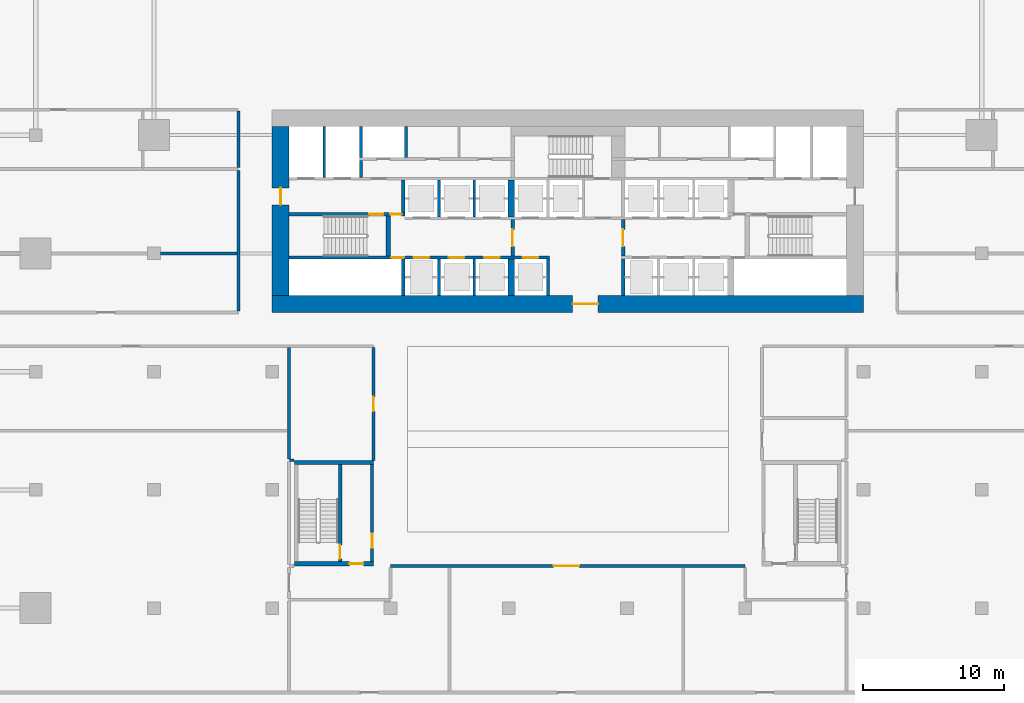
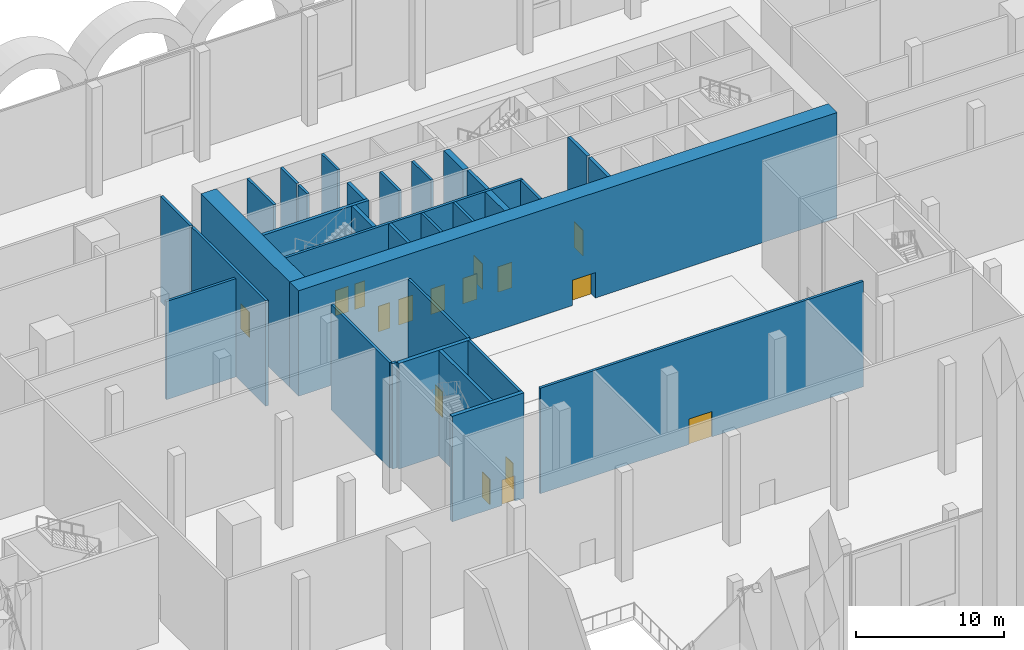
# One storey, part 22 of 43: 32 walls, 16 doors, 16 openings.
"""IFC4 building model written with IfcOpenShell, lengths in metres."""

import ifcopenshell
import ifcopenshell.guid

model = None  # the IFC model being written
_history = None  # IfcOwnerHistory: only IFC2X3 demands one
_inside = {}  # id of a spatial element -> (the spatial element, [elements in it])
_under = {}  # id of a project, library or spatial element -> (it, [spatial elements below it])
_declared = {}  # id of a project -> (the project, [libraries it declares])
_typed = {}  # id of a type object -> (the type object, [elements of that type])
_made_of = {}  # id of a material, layer set ... -> (it, [elements and type objects made of it])


def new_model(schema):
    """Start an empty IFC model of exactly this schema.

    Asked for "IFC4X3", IfcOpenShell would pick the latest addendum, in which some entities
    have other attributes; the version numbers below select the first issue.
    IFC2X3 requires an IfcOwnerHistory on every rooted entity: one is made here for all.
    """
    global model, _history
    if schema == "IFC4X3":
        model = ifcopenshell.file(schema_version=(4, 3, 0, 0))
    else:
        model = ifcopenshell.file(schema=schema)
    _inside.clear()
    _under.clear()
    _declared.clear()
    _typed.clear()
    _made_of.clear()
    _history = None
    if model.schema == "IFC2X3":
        org = make("IfcOrganization", Name="unknown")
        user = make(
            "IfcPersonAndOrganization",
            ThePerson=make("IfcPerson", FamilyName="unknown"),
            TheOrganization=org,
        )
        app = make(
            "IfcApplication",
            ApplicationDeveloper=org,
            Version="unknown",
            ApplicationFullName="unknown",
            ApplicationIdentifier="unknown",
        )
        _history = make(
            "IfcOwnerHistory",
            OwningUser=user,
            OwningApplication=app,
            ChangeAction="ADDED",
            CreationDate=0,
        )
    return model


def make(cls, **values):
    """One entity of the class cls with the attributes given. An attribute that is None is left unset."""
    return model.create_entity(
        cls, **{name: value for name, value in values.items() if value is not None}
    )


def rooted(cls, **values):
    """An entity with a GlobalId (a new one), such as an element, a storey or a relation."""
    return make(cls, GlobalId=ifcopenshell.guid.new(), OwnerHistory=_history, **values)


def si_unit(unit_type, name, prefix=None):
    """IfcSIUnit, for example si_unit("LENGTHUNIT", "METRE", prefix="MILLI")."""
    return make("IfcSIUnit", UnitType=unit_type, Prefix=prefix, Name=name)


def assignment(units):
    """IfcUnitAssignment: the units of a project."""
    return None if units is None else make("IfcUnitAssignment", Units=units)


def point(xyz):
    """IfcCartesianPoint."""
    return None if xyz is None else make("IfcCartesianPoint", Coordinates=xyz)


def direction(xyz):
    """IfcDirection."""
    return None if xyz is None else make("IfcDirection", DirectionRatios=xyz)


def frame(location, z_axis=None, x_axis=None):
    """IfcAxis2Placement3D, a coordinate frame: its origin and axes. An axis left out is left unset."""
    return make(
        "IfcAxis2Placement3D",
        Location=point(location),
        Axis=direction(z_axis),
        RefDirection=direction(x_axis),
    )


def frame_2d(location, x_axis=None):
    """IfcAxis2Placement2D, a coordinate frame in the plane: its origin and x axis."""
    return make(
        "IfcAxis2Placement2D", Location=point(location), RefDirection=direction(x_axis)
    )


def origin():
    """The frame at (0, 0, 0) with its axes left unset."""
    return frame((0.0, 0.0, 0.0))


def place(relative_to, where):
    """IfcLocalPlacement: puts the frame where relative to a parent placement (None: the world)."""
    return make(
        "IfcLocalPlacement", PlacementRelTo=relative_to, RelativePlacement=where
    )


def context(
    kind, dimensions, precision=None, world=None, true_north=None, identifier=None
):
    """IfcGeometricRepresentationContext, for example the 3D "Model" context."""
    return make(
        "IfcGeometricRepresentationContext",
        ContextIdentifier=identifier,
        ContextType=kind,
        CoordinateSpaceDimension=dimensions,
        Precision=precision,
        WorldCoordinateSystem=world,
        TrueNorth=true_north,
    )


def subcontext(parent, identifier, kind, view, scale=None):
    """IfcGeometricRepresentationSubContext, for example "Body" below "Model"."""
    return make(
        "IfcGeometricRepresentationSubContext",
        ContextIdentifier=identifier,
        ContextType=kind,
        ParentContext=parent,
        TargetScale=scale,
        TargetView=view,
    )


def project(units=None, contexts=None):
    """IfcProject with its units and contexts."""
    return rooted(
        "IfcProject",
        Name="project",
        RepresentationContexts=contexts,
        UnitsInContext=assignment(units),
    )


def spatial(cls, under=None, at=None, **own):
    """A site, building, storey or space (cls), placed at a placement, below another one or the project."""
    s = rooted(cls, ObjectPlacement=at, **own)
    if under is not None:
        _under.setdefault(under.id(), (under, []))[1].append(s)
    return s


def profile(cls, at=None, kind="AREA", **sizes):
    """A parametric profile (cls). Its sizes go by their IFC names, for example OverallWidth=200.0."""
    return make(cls, ProfileType=kind, Position=at, **sizes)


def rectangle(**sizes):
    """IfcRectangleProfileDef."""
    return profile("IfcRectangleProfileDef", **sizes)


def extrude(swept, where, along, depth):
    """IfcExtrudedAreaSolid: the profile swept, set in the frame where, extruded along a direction by depth."""
    return make(
        "IfcExtrudedAreaSolid",
        SweptArea=swept,
        Position=where,
        ExtrudedDirection=direction(along),
        Depth=depth,
    )


def shape(context_of_items, identifier, shape_type, items):
    """IfcShapeRepresentation: the items that make up one representation, for example the "Body"."""
    return make(
        "IfcShapeRepresentation",
        ContextOfItems=context_of_items,
        RepresentationIdentifier=identifier,
        RepresentationType=shape_type,
        Items=items,
    )


def material(Name=None, Category=None):
    """IfcMaterial."""
    return make("IfcMaterial", Name=Name, Category=Category)


def layer(
    of_material, thickness, ventilated=None, Name=None, Category=None, Priority=None
):
    """IfcMaterialLayer: one layer of a wall or slab, of a material (None: an air gap)."""
    return make(
        "IfcMaterialLayer",
        Material=of_material,
        LayerThickness=thickness,
        IsVentilated=ventilated,
        Name=Name,
        Category=Category,
        Priority=Priority,
    )


def layer_set(layers, Name=None):
    """IfcMaterialLayerSet."""
    return make("IfcMaterialLayerSet", MaterialLayers=layers, LayerSetName=Name)


def made_of(thing, what):
    """Note that an element or type object is made of a material, layer set ...; save() writes the relation."""
    if what is not None:
        _made_of.setdefault(what.id(), (what, []))[1].append(thing)
    return thing


def type_object(cls, material=None, **own):
    """A type object (cls), such as IfcWallType, which elements share."""
    return made_of(rooted(cls, **own), material)


def element(
    cls,
    number,
    at=None,
    inside=None,
    cuts=None,
    type_object=None,
    material=None,
    context=None,
    identifier="Body",
    shape_type=None,
    held_by="IfcProductDefinitionShape",
    body=None,
    shapes=None,
    **own,
):
    """One element of the class cls, such as IfcWall. Its Tag is "e" and its number.

    at: its placement. inside: the storey or other place that contains it. cuts: it is an
    opening in that element (IfcRelVoidsElement). A single representation is given by context,
    identifier, shape_type and body (its items); several are given by shapes. held_by: the class
    of the entity that holds the representations. save() writes the other relations.
    """
    e = rooted(cls, Tag="e%d" % number, ObjectPlacement=at, **own)
    if body is not None:
        shapes = [shape(context, identifier, shape_type, body)]
    if shapes is not None:
        e.Representation = make(held_by, Representations=shapes)
    if inside is not None:
        _inside.setdefault(inside.id(), (inside, []))[1].append(e)
    if cuts is not None:
        rooted(
            "IfcRelVoidsElement", RelatingBuildingElement=cuts, RelatedOpeningElement=e
        )
    if type_object is not None:
        _typed.setdefault(type_object.id(), (type_object, []))[1].append(e)
    return made_of(e, material)


def fill(opening, filler):
    """IfcRelFillsElement: the door or window that sits in an opening."""
    return rooted(
        "IfcRelFillsElement",
        RelatingOpeningElement=opening,
        RelatedBuildingElement=filler,
    )


def aggregate(whole, parts):
    """IfcRelAggregates: a whole, such as a stair, and the parts it consists of."""
    return rooted("IfcRelAggregates", RelatingObject=whole, RelatedObjects=parts)


def save(model, path):
    """Write the relations noted so far, then the file.

    IfcRelAggregates (storeys below a building ...), IfcRelContainedInSpatialStructure (elements
    in a storey), IfcRelDefinesByType, IfcRelAssociatesMaterial and IfcRelDeclares: one each for
    every whole, place, type object, material and project.
    """
    for whole, parts in _under.values():
        aggregate(whole, parts)
    for where, things in _inside.values():
        rooted(
            "IfcRelContainedInSpatialStructure",
            RelatedElements=things,
            RelatingStructure=where,
        )
    for kind, things in _typed.values():
        rooted("IfcRelDefinesByType", RelatedObjects=things, RelatingType=kind)
    for what, things in _made_of.values():
        rooted("IfcRelAssociatesMaterial", RelatedObjects=things, RelatingMaterial=what)
    for by, libraries in _declared.values():
        rooted("IfcRelDeclares", RelatingContext=by, RelatedDefinitions=libraries)
    model.write(path)


model = new_model("IFC4")

# Units and contexts
model_context = context("Model", 3, precision=1e-05, world=origin(), true_north=direction((0.0, 1.0)))
body_context = subcontext(model_context, "Body", "Model", "MODEL_VIEW")
ifc_project = project(units=[si_unit("LENGTHUNIT", "METRE"), si_unit("AREAUNIT", "SQUARE_METRE"), si_unit("VOLUMEUNIT", "CUBIC_METRE"), si_unit("PLANEANGLEUNIT", "RADIAN"), si_unit("MASSUNIT", "GRAM", prefix="KILO")], contexts=[model_context])

# Site, building, storey
site_placement = place(None, origin())
site = spatial("IfcSite", under=ifc_project, at=site_placement, CompositionType="ELEMENT")
building_placement = place(site_placement, origin())
building = spatial("IfcBuilding", under=site, at=building_placement, Name="Saffron Gate Tower", CompositionType="ELEMENT")
storey_placement = place(building_placement, origin())
storey = spatial("IfcBuildingStorey", under=building, at=storey_placement, Name="L00", CompositionType="ELEMENT", Elevation=0.0)

# Wall, opening, door
ifc_material_1 = material(Name="Concrete C70", Category="concrete")
ifc_layer_1 = layer(ifc_material_1, 1.199951171875)
ifc_layer_set_1 = layer_set([ifc_layer_1], Name="CW1 RC core wall 1200 C70")
wall_type_1 = type_object("IfcWallType", Name="CW1 RC core wall 1200 C70", PredefinedType="SOLIDWALL", material=ifc_layer_set_1)
wall_1_placement = place(storey_placement, frame((66.60009765625, 61.800048828125, 0.0), z_axis=(0.0, 0.0, 1.0), x_axis=(1.0, 0.0, 0.0)))
wall_1 = element("IfcWall", 1, at=wall_1_placement, inside=storey, type_object=wall_type_1, Name="Wall CW1-L00-1", PredefinedType="SOLIDWALL", context=body_context, shape_type="SweptSolid", body=[
    extrude(rectangle(XDim=42.0, YDim=1.199951171875, at=frame_2d((21.0, 0.0))), origin(), (0.0, 0.0, 1.0), 8.699951171875),
])
opening_1_placement = place(wall_1_placement, frame((21.35009765625, 0.0, 0.0)))
opening_1 = element("IfcOpeningElement", 2, at=opening_1_placement, cuts=wall_1, Name="Opening CR-09", PredefinedType="OPENING", context=body_context, shape_type="SweptSolid", body=[
    extrude(rectangle(XDim=1.800048828125, YDim=2.10009765625, at=frame_2d((0.89990234375, 1.050048828125))), frame((0.0, 0.60986328125, 0.0), z_axis=(0.0, -1.0, 0.0), x_axis=(1.0, 0.0, 0.0)), (0.0, 0.0, 1.0), 1.219970703125),
])
ifc_material_2 = material(Name="Steel fire door set", Category="steel")
door_type_1 = type_object("IfcDoorType", Name="CD1 Core entrance door 1800x2100 EI 120", OperationType="NOTDEFINED", PredefinedType="DOOR", material=ifc_material_2)
door_1_placement = place(opening_1_placement, origin())
door_1 = element("IfcDoor", 3, at=door_1_placement, inside=storey, type_object=door_type_1, Name="DOOR CR-09", OperationType="DOUBLE_DOOR_SINGLE_SWING", OverallHeight=2.10009765625, OverallWidth=1.800048828125, PredefinedType="DOOR", context=body_context, shape_type="SweptSolid", body=[
    extrude(rectangle(XDim=1.800048828125, YDim=2.10009765625, at=frame_2d((0.89990234375, 1.050048828125))), frame((0.0, 0.02490234375, 0.0), z_axis=(0.0, -1.0, 0.0), x_axis=(1.0, 0.0, 0.0)), (0.0, 0.0, 1.0), 0.050048828125),
])
fill(opening_1, door_1)

wall_2_placement = place(storey_placement, frame((67.199951171875, 62.39990234375, 0.0), z_axis=(0.0, 0.0, 1.0), x_axis=(0.0, 1.0, 0.0)))
wall_2 = element("IfcWall", 4, at=wall_2_placement, inside=storey, type_object=wall_type_1, Name="Wall CW1-L00-3", PredefinedType="SOLIDWALL", context=body_context, shape_type="SweptSolid", body=[
    extrude(rectangle(XDim=12.0, YDim=1.199951171875, at=frame_2d((6.0, 0.0))), origin(), (0.0, 0.0, 1.0), 8.699951171875),
])
opening_2_placement = place(wall_2_placement, frame((6.449951171875, 0.0, 0.0)))
opening_2 = element("IfcOpeningElement", 5, at=opening_2_placement, cuts=wall_2, Name="Opening CR-10", PredefinedType="OPENING", context=body_context, shape_type="SweptSolid", body=[
    extrude(rectangle(XDim=1.199951171875, YDim=2.10009765625, at=frame_2d((0.60009765625, 1.050048828125))), frame((0.0, 0.60986328125, 0.0), z_axis=(0.0, -1.0, 0.0), x_axis=(1.0, 0.0, 0.0)), (0.0, 0.0, 1.0), 1.219970703125),
])
door_type_2 = type_object("IfcDoorType", Name="CD7 Core entrance door 1200x2100 EI 120", OperationType="NOTDEFINED", PredefinedType="DOOR", material=ifc_material_2)
door_2_placement = place(opening_2_placement, origin())
door_2 = element("IfcDoor", 6, at=door_2_placement, inside=storey, type_object=door_type_2, Name="DOOR CR-10", OperationType="SINGLE_SWING_LEFT", OverallHeight=2.10009765625, OverallWidth=1.199951171875, PredefinedType="DOOR", context=body_context, shape_type="SweptSolid", body=[
    extrude(rectangle(XDim=1.199951171875, YDim=2.10009765625, at=frame_2d((0.60009765625, 1.050048828125))), frame((0.0, 0.02490234375, 0.0), z_axis=(0.0, -1.0, 0.0), x_axis=(1.0, 0.0, 0.0)), (0.0, 0.0, 1.0), 0.050048828125),
])
fill(opening_2, door_2)

ifc_material_3 = material(Name="Gypsum board partition on steel studs", Category="steel")
ifc_layer_2 = layer(ifc_material_3, 0.199951171875)
ifc_layer_set_2 = layer_set([ifc_layer_2], Name="CW10 Core partition 200")
wall_type_2 = type_object("IfcWallType", Name="CW10 Core partition 200", PredefinedType="PARTITIONING", material=ifc_layer_set_2)
wall_3_placement = place(storey_placement, frame((73.699951171875, 43.5, 0.0), z_axis=(0.0, 0.0, 1.0), x_axis=(0.0, 1.0, 0.0)))
wall_3 = element("IfcWall", 7, at=wall_3_placement, inside=storey, type_object=wall_type_2, Name="Wall CW10-L00-D-4", PredefinedType="PARTITIONING", context=body_context, shape_type="SweptSolid", body=[
    extrude(rectangle(XDim=6.89990234375, YDim=0.199951171875, at=frame_2d((3.449951171875, 0.0))), origin(), (0.0, 0.0, 1.0), 8.699951171875),
])
opening_3_placement = place(wall_3_placement, frame((1.0, 0.0, 0.0)))
opening_3 = element("IfcOpeningElement", 8, at=opening_3_placement, cuts=wall_3, Name="Opening CR-19", PredefinedType="OPENING", context=body_context, shape_type="SweptSolid", body=[
    extrude(rectangle(XDim=1.0, YDim=2.10009765625, at=frame_2d((0.5, 1.050048828125))), frame((0.0, 0.10986328125, 0.0), z_axis=(0.0, -1.0, 0.0), x_axis=(1.0, 0.0, 0.0)), (0.0, 0.0, 1.0), 0.219970703125),
])
door_type_3 = type_object("IfcDoorType", Name="CD4 Lobby door 1000x2100 EI 120", OperationType="NOTDEFINED", PredefinedType="DOOR", material=ifc_material_2)
door_3_placement = place(opening_3_placement, origin())
door_3 = element("IfcDoor", 9, at=door_3_placement, inside=storey, type_object=door_type_3, Name="DOOR CR-19", OperationType="SINGLE_SWING_RIGHT", OverallHeight=2.10009765625, OverallWidth=1.0, PredefinedType="DOOR", context=body_context, shape_type="SweptSolid", body=[
    extrude(rectangle(XDim=1.0, YDim=2.10009765625, at=frame_2d((0.5, 1.050048828125))), frame((0.0, 0.02490234375, 0.0), z_axis=(0.0, -1.0, 0.0), x_axis=(1.0, 0.0, 0.0)), (0.0, 0.0, 1.0), 0.050048828125),
])
fill(opening_3, door_3)

# Walls
ifc_layer_3 = layer(ifc_material_1, 0.25)
ifc_layer_set_3 = layer_set([ifc_layer_3], Name="CW2 RC core wall 250 C70")
wall_type_3 = type_object("IfcWallType", Name="CW2 RC core wall 250 C70", PredefinedType="SOLIDWALL", material=ifc_layer_set_3)
for number, where, z_axis, x_axis, name in (
    (10, (75.925048828125, 62.39990234375, 0.0), (0.0, 0.0, 1.0), (0.0, 1.0, 0.0), "Wall CW2-L00-5"),
    (11, (91.52490234375, 62.39990234375, 0.0), (0.0, 0.0, 1.0), (0.0, 1.0, 0.0), "Wall CW2-L00-10"),
):
    element("IfcWall", number, at=place(storey_placement, frame(where, z_axis=z_axis, x_axis=x_axis)), inside=storey, type_object=wall_type_3, Name=name, PredefinedType="SOLIDWALL", context=body_context, shape_type="SweptSolid", body=[
        extrude(rectangle(XDim=2.60009765625, YDim=0.25, at=frame_2d((1.300048828125, 0.0))), origin(), (0.0, 0.0, 1.0), 8.699951171875),
    ])

# Wall, opening, door
wall_4_placement = place(storey_placement, frame((83.675048828125, 65.199951171875, 0.0), z_axis=(0.0, 0.0, 1.0), x_axis=(0.0, 1.0, 0.0)))
wall_4 = element("IfcWall", 12, at=wall_4_placement, inside=storey, type_object=wall_type_3, Name="Wall CW2-L00-17", PredefinedType="SOLIDWALL", context=body_context, shape_type="SweptSolid", body=[
    extrude(rectangle(XDim=2.60009765625, YDim=0.25, at=frame_2d((1.300048828125, 0.0))), origin(), (0.0, 0.0, 1.0), 8.699951171875),
])
opening_4_placement = place(wall_4_placement, frame((0.699951171875, 0.0, 0.0)))
opening_4 = element("IfcOpeningElement", 13, at=opening_4_placement, cuts=wall_4, Name="Opening CR-07", PredefinedType="OPENING", context=body_context, shape_type="SweptSolid", body=[
    extrude(rectangle(XDim=1.199951171875, YDim=2.10009765625, at=frame_2d((0.60009765625, 1.050048828125))), frame((0.0, 0.135009765625, 0.0), z_axis=(0.0, -1.0, 0.0), x_axis=(1.0, 0.0, 0.0)), (0.0, 0.0, 1.0), 0.27001953125),
])
door_type_4 = type_object("IfcDoorType", Name="CD3 Lobby door 1200x2100 EI 120", OperationType="NOTDEFINED", PredefinedType="DOOR", material=ifc_material_2)
door_4_placement = place(opening_4_placement, origin())
door_4 = element("IfcDoor", 14, at=door_4_placement, inside=storey, type_object=door_type_4, Name="DOOR CR-07", OperationType="SINGLE_SWING_RIGHT", OverallHeight=2.10009765625, OverallWidth=1.199951171875, PredefinedType="DOOR", context=body_context, shape_type="SweptSolid", body=[
    extrude(rectangle(XDim=1.199951171875, YDim=2.10009765625, at=frame_2d((0.60009765625, 1.050048828125))), frame((0.0, 0.02490234375, 0.0), z_axis=(0.0, -1.0, 0.0), x_axis=(1.0, 0.0, 0.0)), (0.0, 0.0, 1.0), 0.050048828125),
])
fill(opening_4, door_4)

wall_5_placement = place(storey_placement, frame((91.52490234375, 65.199951171875, 0.0), z_axis=(0.0, 0.0, 1.0), x_axis=(0.0, 1.0, 0.0)))
wall_5 = element("IfcWall", 15, at=wall_5_placement, inside=storey, type_object=wall_type_3, Name="Wall CW2-L00-18", PredefinedType="SOLIDWALL", context=body_context, shape_type="SweptSolid", body=[
    extrude(rectangle(XDim=2.60009765625, YDim=0.25, at=frame_2d((1.300048828125, 0.0))), origin(), (0.0, 0.0, 1.0), 8.699951171875),
])
opening_5_placement = place(wall_5_placement, frame((0.699951171875, 0.0, 0.0)))
opening_5 = element("IfcOpeningElement", 16, at=opening_5_placement, cuts=wall_5, Name="Opening CR-01", PredefinedType="OPENING", context=body_context, shape_type="SweptSolid", body=[
    extrude(rectangle(XDim=1.199951171875, YDim=2.10009765625, at=frame_2d((0.60009765625, 1.050048828125))), frame((0.0, 0.135009765625, 0.0), z_axis=(0.0, -1.0, 0.0), x_axis=(1.0, 0.0, 0.0)), (0.0, 0.0, 1.0), 0.27001953125),
])
door_5_placement = place(opening_5_placement, origin())
door_5 = element("IfcDoor", 17, at=door_5_placement, inside=storey, type_object=door_type_4, Name="DOOR CR-01", OperationType="SINGLE_SWING_RIGHT", OverallHeight=2.10009765625, OverallWidth=1.199951171875, PredefinedType="DOOR", context=body_context, shape_type="SweptSolid", body=[
    extrude(rectangle(XDim=1.199951171875, YDim=2.10009765625, at=frame_2d((0.60009765625, 1.050048828125))), frame((0.0, 0.02490234375, 0.0), z_axis=(0.0, -1.0, 0.0), x_axis=(1.0, 0.0, 0.0)), (0.0, 0.0, 1.0), 0.050048828125),
])
fill(opening_5, door_5)

# Wall, openings, doors
wall_6_placement = place(storey_placement, frame((67.800048828125, 68.175048828125, 0.0), z_axis=(0.0, 0.0, 1.0), x_axis=(1.0, 0.0, 0.0)))
wall_6 = element("IfcWall", 18, at=wall_6_placement, inside=storey, type_object=wall_type_3, Name="Wall CW2-L00-30", PredefinedType="SOLIDWALL", context=body_context, shape_type="SweptSolid", body=[
    extrude(rectangle(XDim=8.25, YDim=0.25, at=frame_2d((4.125, 0.0))), origin(), (0.0, 0.0, 1.0), 8.699951171875),
])
opening_6_placement = place(wall_6_placement, frame((5.699951171875, 0.0, 0.0)))
opening_6 = element("IfcOpeningElement", 19, at=opening_6_placement, cuts=wall_6, Name="Opening CR-15", PredefinedType="OPENING", context=body_context, shape_type="SweptSolid", body=[
    extrude(rectangle(XDim=1.0, YDim=2.10009765625, at=frame_2d((0.5, 1.050048828125))), frame((0.0, 0.135009765625, 0.0), z_axis=(0.0, -1.0, 0.0), x_axis=(1.0, 0.0, 0.0)), (0.0, 0.0, 1.0), 0.27001953125),
])
opening_7_placement = place(wall_6_placement, frame((7.199951171875, 0.0, 0.0)))
opening_7 = element("IfcOpeningElement", 20, at=opening_7_placement, cuts=wall_6, Name="Opening CR-06", PredefinedType="OPENING", context=body_context, shape_type="SweptSolid", body=[
    extrude(rectangle(XDim=0.800048828125, YDim=2.10009765625, at=frame_2d((0.39990234375, 1.050048828125))), frame((0.0, 0.135009765625, 0.0), z_axis=(0.0, -1.0, 0.0), x_axis=(1.0, 0.0, 0.0)), (0.0, 0.0, 1.0), 0.27001953125),
])
door_type_5 = type_object("IfcDoorType", Name="CD5 Stair door 1000x2100 EI 120", OperationType="NOTDEFINED", PredefinedType="DOOR", material=ifc_material_2)
door_6_placement = place(opening_6_placement, origin())
door_6 = element("IfcDoor", 21, at=door_6_placement, inside=storey, type_object=door_type_5, Name="DOOR CR-15", OperationType="SINGLE_SWING_RIGHT", OverallHeight=2.10009765625, OverallWidth=1.0, PredefinedType="DOOR", context=body_context, shape_type="SweptSolid", body=[
    extrude(rectangle(XDim=1.0, YDim=2.10009765625, at=frame_2d((0.5, 1.050048828125))), frame((0.0, 0.02490234375, 0.0), z_axis=(0.0, -1.0, 0.0), x_axis=(1.0, 0.0, 0.0)), (0.0, 0.0, 1.0), 0.050048828125),
])
fill(opening_6, door_6)
door_type_6 = type_object("IfcDoorType", Name="CD6 Lobby door 800x2100 EI 120", OperationType="NOTDEFINED", PredefinedType="DOOR", material=ifc_material_2)
door_7_placement = place(opening_7_placement, origin())
door_7 = element("IfcDoor", 22, at=door_7_placement, inside=storey, type_object=door_type_6, Name="DOOR CR-06", OperationType="SINGLE_SWING_LEFT", OverallHeight=2.10009765625, OverallWidth=0.800048828125, PredefinedType="DOOR", context=body_context, shape_type="SweptSolid", body=[
    extrude(rectangle(XDim=0.800048828125, YDim=2.10009765625, at=frame_2d((0.39990234375, 1.050048828125))), frame((0.0, 0.02490234375, 0.0), z_axis=(0.0, -1.0, 0.0), x_axis=(1.0, 0.0, 0.0)), (0.0, 0.0, 1.0), 0.050048828125),
])
fill(opening_7, door_7)

# Wall
wall_7_placement = place(storey_placement, frame((75.925048828125, 68.300048828125, 0.0), z_axis=(0.0, 0.0, 1.0), x_axis=(0.0, 1.0, 0.0)))
element("IfcWall", 23, at=wall_7_placement, inside=storey, type_object=wall_type_3, Name="Wall CW2-L00-32", PredefinedType="SOLIDWALL", context=body_context, shape_type="SweptSolid", body=[
    extrude(rectangle(XDim=2.300048828125, YDim=0.25, at=frame_2d((1.14990234375, 0.0))), origin(), (0.0, 0.0, 1.0), 8.699951171875),
])

# Wall, opening, door
wall_8_placement = place(storey_placement, frame((71.425048828125, 43.5, 0.0), z_axis=(0.0, 0.0, 1.0), x_axis=(0.0, 1.0, 0.0)))
wall_8 = element("IfcWall", 24, at=wall_8_placement, inside=storey, type_object=wall_type_3, Name="Wall CW2-L00-D-3", PredefinedType="SOLIDWALL", context=body_context, shape_type="SweptSolid", body=[
    extrude(rectangle(XDim=6.89990234375, YDim=0.25, at=frame_2d((3.449951171875, 0.0))), origin(), (0.0, 0.0, 1.0), 8.699951171875),
])
opening_8_placement = place(wall_8_placement, frame((0.199951171875, 0.0, 0.0)))
opening_8 = element("IfcOpeningElement", 25, at=opening_8_placement, cuts=wall_8, Name="Opening CR-20", PredefinedType="OPENING", context=body_context, shape_type="SweptSolid", body=[
    extrude(rectangle(XDim=1.0, YDim=2.10009765625, at=frame_2d((0.5, 1.050048828125))), frame((0.0, 0.135009765625, 0.0), z_axis=(0.0, -1.0, 0.0), x_axis=(1.0, 0.0, 0.0)), (0.0, 0.0, 1.0), 0.27001953125),
])
door_8_placement = place(opening_8_placement, origin())
door_8 = element("IfcDoor", 26, at=door_8_placement, inside=storey, type_object=door_type_5, Name="DOOR CR-20", OperationType="SINGLE_SWING_LEFT", OverallHeight=2.10009765625, OverallWidth=1.0, PredefinedType="DOOR", context=body_context, shape_type="SweptSolid", body=[
    extrude(rectangle(XDim=1.0, YDim=2.10009765625, at=frame_2d((0.5, 1.050048828125))), frame((0.0, 0.02490234375, 0.0), z_axis=(0.0, -1.0, 0.0), x_axis=(1.0, 0.0, 0.0)), (0.0, 0.0, 1.0), 0.050048828125),
])
fill(opening_8, door_8)

# Walls
ifc_layer_4 = layer(ifc_material_1, 0.199951171875)
ifc_layer_set_4 = layer_set([ifc_layer_4], Name="CW3 RC core wall 200 C70")
wall_type_4 = type_object("IfcWallType", Name="CW3 RC core wall 200 C70", PredefinedType="SOLIDWALL", material=ifc_layer_set_4)
for number, where, z_axis, x_axis, name in (
    (27, (78.449951171875, 62.39990234375, 0.0), (0.0, 0.0, 1.0), (0.0, 1.0, 0.0), "Wall CW3-L00-6"),
    (28, (80.949951171875, 62.39990234375, 0.0), (0.0, 0.0, 1.0), (0.0, 1.0, 0.0), "Wall CW3-L00-7"),
    (29, (86.199951171875, 62.39990234375, 0.0), (0.0, 0.0, 1.0), (0.0, 1.0, 0.0), "Wall CW3-L00-9"),
):
    element("IfcWall", number, at=place(storey_placement, frame(where, z_axis=z_axis, x_axis=x_axis)), inside=storey, type_object=wall_type_4, Name=name, PredefinedType="SOLIDWALL", context=body_context, shape_type="SweptSolid", body=[
        extrude(rectangle(XDim=2.60009765625, YDim=0.199951171875, at=frame_2d((1.300048828125, 0.0))), origin(), (0.0, 0.0, 1.0), 8.699951171875),
    ])

# Wall, openings, doors
wall_9_placement = place(storey_placement, frame((67.800048828125, 65.10009765625, 0.0), z_axis=(0.0, 0.0, 1.0), x_axis=(1.0, 0.0, 0.0)))
wall_9 = element("IfcWall", 30, at=wall_9_placement, inside=storey, type_object=wall_type_4, Name="Wall CW3-L00-14", PredefinedType="SOLIDWALL", context=body_context, shape_type="SweptSolid", body=[
    extrude(rectangle(XDim=18.5, YDim=0.199951171875, at=frame_2d((9.25, 0.0))), origin(), (0.0, 0.0, 1.0), 8.699951171875),
])
opening_9_placement = place(wall_9_placement, frame((7.27001953125, 0.0, 0.0)))
opening_9 = element("IfcOpeningElement", 31, at=opening_9_placement, cuts=wall_9, Name="Opening CR-49", PredefinedType="OPENING", context=body_context, shape_type="SweptSolid", body=[
    extrude(rectangle(XDim=0.89990234375, YDim=2.10009765625, at=frame_2d((0.449951171875, 1.050048828125))), frame((0.0, 0.10986328125, 0.0), z_axis=(0.0, -1.0, 0.0), x_axis=(1.0, 0.0, 0.0)), (0.0, 0.0, 1.0), 0.219970703125),
])
opening_10_placement = place(wall_9_placement, frame((8.85009765625, 0.0, 0.0)))
opening_10 = element("IfcOpeningElement", 32, at=opening_10_placement, cuts=wall_9, Name="Opening LD-LR1", PredefinedType="OPENING", context=body_context, shape_type="SweptSolid", body=[
    extrude(rectangle(XDim=1.10009765625, YDim=2.10009765625, at=frame_2d((0.550048828125, 1.050048828125))), frame((0.0, 0.10986328125, 0.0), z_axis=(0.0, -1.0, 0.0), x_axis=(1.0, 0.0, 0.0)), (0.0, 0.0, 1.0), 0.219970703125),
])
opening_11_placement = place(wall_9_placement, frame((11.35009765625, 0.0, 0.0)))
opening_11 = element("IfcOpeningElement", 33, at=opening_11_placement, cuts=wall_9, Name="Opening LD-LR2", PredefinedType="OPENING", context=body_context, shape_type="SweptSolid", body=[
    extrude(rectangle(XDim=1.10009765625, YDim=2.10009765625, at=frame_2d((0.550048828125, 1.050048828125))), frame((0.0, 0.10986328125, 0.0), z_axis=(0.0, -1.0, 0.0), x_axis=(1.0, 0.0, 0.0)), (0.0, 0.0, 1.0), 0.219970703125),
])
opening_12_placement = place(wall_9_placement, frame((13.85009765625, 0.0, 0.0)))
opening_12 = element("IfcOpeningElement", 34, at=opening_12_placement, cuts=wall_9, Name="Opening LD-LR3", PredefinedType="OPENING", context=body_context, shape_type="SweptSolid", body=[
    extrude(rectangle(XDim=1.10009765625, YDim=2.10009765625, at=frame_2d((0.550048828125, 1.050048828125))), frame((0.0, 0.10986328125, 0.0), z_axis=(0.0, -1.0, 0.0), x_axis=(1.0, 0.0, 0.0)), (0.0, 0.0, 1.0), 0.219970703125),
])
opening_13_placement = place(wall_9_placement, frame((16.60009765625, 0.0, 0.0)))
opening_13 = element("IfcOpeningElement", 35, at=opening_13_placement, cuts=wall_9, Name="Opening LD-SL3", PredefinedType="OPENING", context=body_context, shape_type="SweptSolid", body=[
    extrude(rectangle(XDim=1.10009765625, YDim=2.10009765625, at=frame_2d((0.550048828125, 1.050048828125))), frame((0.0, 0.10986328125, 0.0), z_axis=(0.0, -1.0, 0.0), x_axis=(1.0, 0.0, 0.0)), (0.0, 0.0, 1.0), 0.219970703125),
])
door_type_7 = type_object("IfcDoorType", Name="CD2 Riser door 900x2100 EI 60", OperationType="NOTDEFINED", PredefinedType="DOOR", material=ifc_material_2)
door_9_placement = place(opening_9_placement, origin())
door_9 = element("IfcDoor", 36, at=door_9_placement, inside=storey, type_object=door_type_7, Name="DOOR CR-49", OperationType="SINGLE_SWING_LEFT", OverallHeight=2.10009765625, OverallWidth=0.89990234375, PredefinedType="DOOR", context=body_context, shape_type="SweptSolid", body=[
    extrude(rectangle(XDim=0.89990234375, YDim=2.10009765625, at=frame_2d((0.449951171875, 1.050048828125))), frame((0.0, 0.02490234375, 0.0), z_axis=(0.0, -1.0, 0.0), x_axis=(1.0, 0.0, 0.0)), (0.0, 0.0, 1.0), 0.050048828125),
])
fill(opening_9, door_9)
ifc_material_4 = material(Name="Stainless steel landing door", Category="steel")
door_type_8 = type_object("IfcDoorType", Name="LD Lift landing door 1100x2100 EI 120", OperationType="SLIDING_TO_LEFT", PredefinedType="DOOR", material=ifc_material_4)
door_10_placement = place(opening_10_placement, origin())
door_10 = element("IfcDoor", 37, at=door_10_placement, inside=storey, type_object=door_type_8, Name="LANDING DOOR LD-LR1", OperationType="SLIDING_TO_LEFT", OverallHeight=2.10009765625, OverallWidth=1.10009765625, PredefinedType="DOOR", context=body_context, shape_type="SweptSolid", body=[
    extrude(rectangle(XDim=1.10009765625, YDim=2.10009765625, at=frame_2d((0.550048828125, 1.050048828125))), frame((0.0, 0.02490234375, 0.0), z_axis=(0.0, -1.0, 0.0), x_axis=(1.0, 0.0, 0.0)), (0.0, 0.0, 1.0), 0.050048828125),
])
fill(opening_10, door_10)
door_11_placement = place(opening_11_placement, origin())
door_11 = element("IfcDoor", 38, at=door_11_placement, inside=storey, type_object=door_type_8, Name="LANDING DOOR LD-LR2", OperationType="SLIDING_TO_LEFT", OverallHeight=2.10009765625, OverallWidth=1.10009765625, PredefinedType="DOOR", context=body_context, shape_type="SweptSolid", body=[
    extrude(rectangle(XDim=1.10009765625, YDim=2.10009765625, at=frame_2d((0.550048828125, 1.050048828125))), frame((0.0, 0.02490234375, 0.0), z_axis=(0.0, -1.0, 0.0), x_axis=(1.0, 0.0, 0.0)), (0.0, 0.0, 1.0), 0.050048828125),
])
fill(opening_11, door_11)
door_12_placement = place(opening_12_placement, origin())
door_12 = element("IfcDoor", 39, at=door_12_placement, inside=storey, type_object=door_type_8, Name="LANDING DOOR LD-LR3", OperationType="SLIDING_TO_LEFT", OverallHeight=2.10009765625, OverallWidth=1.10009765625, PredefinedType="DOOR", context=body_context, shape_type="SweptSolid", body=[
    extrude(rectangle(XDim=1.10009765625, YDim=2.10009765625, at=frame_2d((0.550048828125, 1.050048828125))), frame((0.0, 0.02490234375, 0.0), z_axis=(0.0, -1.0, 0.0), x_axis=(1.0, 0.0, 0.0)), (0.0, 0.0, 1.0), 0.050048828125),
])
fill(opening_12, door_12)
door_13_placement = place(opening_13_placement, origin())
door_13 = element("IfcDoor", 40, at=door_13_placement, inside=storey, type_object=door_type_8, Name="LANDING DOOR LD-SL3", OperationType="SLIDING_TO_LEFT", OverallHeight=2.10009765625, OverallWidth=1.10009765625, PredefinedType="DOOR", context=body_context, shape_type="SweptSolid", body=[
    extrude(rectangle(XDim=1.10009765625, YDim=2.10009765625, at=frame_2d((0.550048828125, 1.050048828125))), frame((0.0, 0.02490234375, 0.0), z_axis=(0.0, -1.0, 0.0), x_axis=(1.0, 0.0, 0.0)), (0.0, 0.0, 1.0), 0.050048828125),
])
fill(opening_13, door_13)

# Walls
for number, where, z_axis, x_axis, name in (
    (41, (78.449951171875, 68.0, 0.0), (0.0, 0.0, 1.0), (0.0, 1.0, 0.0), "Wall CW3-L00-21"),
    (42, (80.949951171875, 68.0, 0.0), (0.0, 0.0, 1.0), (0.0, 1.0, 0.0), "Wall CW3-L00-22"),
):
    element("IfcWall", number, at=place(storey_placement, frame(where, z_axis=z_axis, x_axis=x_axis)), inside=storey, type_object=wall_type_4, Name=name, PredefinedType="SOLIDWALL", context=body_context, shape_type="SweptSolid", body=[
        extrude(rectangle(XDim=2.60009765625, YDim=0.199951171875, at=frame_2d((1.300048828125, 0.0))), origin(), (0.0, 0.0, 1.0), 8.699951171875),
    ])
wall_10_placement = place(storey_placement, frame((70.300048828125, 70.800048828125, 0.0), z_axis=(0.0, 0.0, 1.0), x_axis=(0.0, 1.0, 0.0)))
element("IfcWall", 43, at=wall_10_placement, inside=storey, type_object=wall_type_4, Name="Wall CW3-L00-35", PredefinedType="SOLIDWALL", context=body_context, shape_type="SweptSolid", body=[
    extrude(rectangle(XDim=3.599853515625, YDim=0.199951171875, at=frame_2d((1.7998046875, 0.0))), origin(), (0.0, 0.0, 1.0), 8.699951171875),
])
wall_11_placement = place(storey_placement, frame((72.89990234375, 70.800048828125, 0.0), z_axis=(0.0, 0.0, 1.0), x_axis=(0.0, 1.0, 0.0)))
element("IfcWall", 44, at=wall_11_placement, inside=storey, type_object=wall_type_4, Name="Wall CW3-L00-36", PredefinedType="SOLIDWALL", context=body_context, shape_type="SweptSolid", body=[
    extrude(rectangle(XDim=1.199951171875, YDim=0.199951171875, at=frame_2d((0.60009765625, 0.0))), origin(), (0.0, 0.0, 1.0), 8.699951171875),
])
for number, where, z_axis, x_axis, name in (
    (45, (72.89990234375, 72.199951171875, 0.0), (0.0, 0.0, 1.0), (0.0, 1.0, 0.0), "Wall CW3-L00-43"),
    (46, (76.10009765625, 72.199951171875, 0.0), (0.0, 0.0, 1.0), (0.0, 1.0, 0.0), "Wall CW3-L00-44"),
):
    element("IfcWall", number, at=place(storey_placement, frame(where, z_axis=z_axis, x_axis=x_axis)), inside=storey, type_object=wall_type_4, Name=name, PredefinedType="SOLIDWALL", context=body_context, shape_type="SweptSolid", body=[
        extrude(rectangle(XDim=2.199951171875, YDim=0.199951171875, at=frame_2d((1.10009765625, 0.0))), origin(), (0.0, 0.0, 1.0), 8.699951171875),
    ])
ifc_layer_5 = layer(ifc_material_1, 0.449951171875)
ifc_layer_set_5 = layer_set([ifc_layer_5], Name="CW4 RC core wall 450 C70")
wall_type_5 = type_object("IfcWallType", Name="CW4 RC core wall 450 C70", PredefinedType="SOLIDWALL", material=ifc_layer_set_5)
for number, where, z_axis, x_axis, name in (
    (47, (83.574951171875, 62.39990234375, 0.0), (0.0, 0.0, 1.0), (0.0, 1.0, 0.0), "Wall CW4-L00-8"),
    (48, (83.574951171875, 68.0, 0.0), (0.0, 0.0, 1.0), (0.0, 1.0, 0.0), "Wall CW4-L00-23"),
):
    element("IfcWall", number, at=place(storey_placement, frame(where, z_axis=z_axis, x_axis=x_axis)), inside=storey, type_object=wall_type_5, Name=name, PredefinedType="SOLIDWALL", context=body_context, shape_type="SweptSolid", body=[
        extrude(rectangle(XDim=2.60009765625, YDim=0.449951171875, at=frame_2d((1.300048828125, 0.0))), origin(), (0.0, 0.0, 1.0), 8.699951171875),
    ])
ifc_layer_6 = layer(ifc_material_1, 0.300048828125)
ifc_layer_set_6 = layer_set([ifc_layer_6], Name="CW5 RC core wall 300 C70")
wall_type_6 = type_object("IfcWallType", Name="CW5 RC core wall 300 C70", PredefinedType="SOLIDWALL", material=ifc_layer_set_6)
wall_12_placement = place(storey_placement, frame((74.85009765625, 65.199951171875, 0.0), z_axis=(0.0, 0.0, 1.0), x_axis=(0.0, 1.0, 0.0)))
element("IfcWall", 49, at=wall_12_placement, inside=storey, type_object=wall_type_6, Name="Wall CW5-L00-16", PredefinedType="SOLIDWALL", context=body_context, shape_type="SweptSolid", body=[
    extrude(rectangle(XDim=2.85009765625, YDim=0.300048828125, at=frame_2d((1.425048828125, 0.0))), origin(), (0.0, 0.0, 1.0), 8.699951171875),
])

# Wall, opening, door
wall_13_placement = place(storey_placement, frame((68.199951171875, 43.35009765625, 0.0), z_axis=(0.0, 0.0, 1.0), x_axis=(1.0, 0.0, 0.0)))
wall_13 = element("IfcWall", 50, at=wall_13_placement, inside=storey, type_object=wall_type_6, Name="Wall CW5-L00-D-1", PredefinedType="SOLIDWALL", context=body_context, shape_type="SweptSolid", body=[
    extrude(rectangle(XDim=5.60009765625, YDim=0.300048828125, at=frame_2d((2.800048828125, 0.0))), origin(), (0.0, 0.0, 1.0), 8.699951171875),
])
opening_14_placement = place(wall_13_placement, frame((3.875, 0.0, 0.0)))
opening_14 = element("IfcOpeningElement", 51, at=opening_14_placement, cuts=wall_13, Name="Opening CR-18", PredefinedType="OPENING", context=body_context, shape_type="SweptSolid", body=[
    extrude(rectangle(XDim=1.0, YDim=2.10009765625, at=frame_2d((0.5, 1.050048828125))), frame((0.0, 0.16015625, 0.0), z_axis=(0.0, -1.0, 0.0), x_axis=(1.0, 0.0, 0.0)), (0.0, 0.0, 1.0), 0.320068359375),
])
door_14_placement = place(opening_14_placement, origin())
door_14 = element("IfcDoor", 52, at=door_14_placement, inside=storey, type_object=door_type_3, Name="DOOR CR-18", OperationType="SINGLE_SWING_RIGHT", OverallHeight=2.10009765625, OverallWidth=1.0, PredefinedType="DOOR", context=body_context, shape_type="SweptSolid", body=[
    extrude(rectangle(XDim=1.0, YDim=2.10009765625, at=frame_2d((0.5, 1.050048828125))), frame((0.0, 0.02490234375, 0.0), z_axis=(0.0, -1.0, 0.0), x_axis=(1.0, 0.0, 0.0)), (0.0, 0.0, 1.0), 0.050048828125),
])
fill(opening_14, door_14)

# Wall
wall_14_placement = place(storey_placement, frame((68.199951171875, 50.550048828125, 0.0), z_axis=(0.0, 0.0, 1.0), x_axis=(1.0, 0.0, 0.0)))
element("IfcWall", 53, at=wall_14_placement, inside=storey, type_object=wall_type_6, Name="Wall CW5-L00-D-5", PredefinedType="SOLIDWALL", context=body_context, shape_type="SweptSolid", body=[
    extrude(rectangle(XDim=5.60009765625, YDim=0.300048828125, at=frame_2d((2.800048828125, 0.0))), origin(), (0.0, 0.0, 1.0), 8.699951171875),
])

# Wall, opening, door
ifc_material_5 = material(Name="Clay brick masonry, rendered", Category="masonry")
ifc_layer_7 = layer(ifc_material_5, 0.199951171875)
ifc_layer_set_7 = layer_set([ifc_layer_7], Name="PW3 Corridor wall 200")
wall_type_7 = type_object("IfcWallType", Name="PW3 Corridor wall 200", PredefinedType="PARTITIONING", material=ifc_layer_set_7)
wall_15_placement = place(storey_placement, frame((75.0, 43.199951171875, 0.0), z_axis=(0.0, 0.0, 1.0), x_axis=(1.0, 0.0, 0.0)))
wall_15 = element("IfcWall", 54, at=wall_15_placement, inside=storey, type_object=wall_type_7, Name="Wall P0-4", PredefinedType="PARTITIONING", context=body_context, shape_type="SweptSolid", body=[
    extrude(rectangle(XDim=25.199951171875, YDim=0.199951171875, at=frame_2d((12.60009765625, 0.0))), origin(), (0.0, 0.0, 1.0), 8.699951171875),
])
opening_15_placement = place(wall_15_placement, frame((11.60009765625, 0.0, 0.0)))
opening_15 = element("IfcOpeningElement", 55, at=opening_15_placement, cuts=wall_15, Name="Opening XC-S", PredefinedType="OPENING", context=body_context, shape_type="SweptSolid", body=[
    extrude(rectangle(XDim=1.800048828125, YDim=2.10009765625, at=frame_2d((0.89990234375, 1.050048828125))), frame((0.0, 0.10986328125, 0.0), z_axis=(0.0, -1.0, 0.0), x_axis=(1.0, 0.0, 0.0)), (0.0, 0.0, 1.0), 0.219970703125),
])
door_type_9 = type_object("IfcDoorType", Name="CD13 Lobby door 1800x2100 EI 120", OperationType="NOTDEFINED", PredefinedType="DOOR", material=ifc_material_2)
door_15_placement = place(opening_15_placement, origin())
door_15 = element("IfcDoor", 56, at=door_15_placement, inside=storey, type_object=door_type_9, Name="DOOR XC-S", OperationType="DOUBLE_DOOR_SINGLE_SWING", OverallHeight=2.10009765625, OverallWidth=1.800048828125, PredefinedType="DOOR", context=body_context, shape_type="SweptSolid", body=[
    extrude(rectangle(XDim=1.800048828125, YDim=2.10009765625, at=frame_2d((0.89990234375, 1.050048828125))), frame((0.0, 0.02490234375, 0.0), z_axis=(0.0, -1.0, 0.0), x_axis=(1.0, 0.0, 0.0)), (0.0, 0.0, 1.0), 0.050048828125),
])
fill(opening_15, door_15)

# Wall
wall_16_placement = place(storey_placement, frame((64.199951171875, 71.300048828125, 0.0), z_axis=(0.0, 0.0, 1.0), x_axis=(0.0, -1.0, 0.0)))
element("IfcWall", 57, at=wall_16_placement, inside=storey, type_object=wall_type_7, Name="Wall P0-35", PredefinedType="PARTITIONING", context=body_context, shape_type="SweptSolid", body=[
    extrude(rectangle(XDim=10.0, YDim=0.199951171875, at=frame_2d((5.0, 0.0))), origin(), (0.0, 0.0, 1.0), 8.699951171875),
])

# Wall, opening, door
wall_17_placement = place(storey_placement, frame((73.800048828125, 50.699951171875, 0.0), z_axis=(0.0, 0.0, 1.0), x_axis=(0.0, 1.0, 0.0)))
wall_17 = element("IfcWall", 58, at=wall_17_placement, inside=storey, type_object=wall_type_7, Name="Wall P0-41", PredefinedType="PARTITIONING", context=body_context, shape_type="SweptSolid", body=[
    extrude(rectangle(XDim=8.0, YDim=0.199951171875, at=frame_2d((4.0, 0.0))), origin(), (0.0, 0.0, 1.0), 8.699951171875),
])
opening_16_placement = place(wall_17_placement, frame((3.5, 0.0, 0.0)))
opening_16 = element("IfcOpeningElement", 59, at=opening_16_placement, cuts=wall_17, Name="Opening P0-4", PredefinedType="OPENING", context=body_context, shape_type="SweptSolid", body=[
    extrude(rectangle(XDim=1.0, YDim=2.10009765625, at=frame_2d((0.5, 1.050048828125))), frame((0.0, 0.10986328125, 0.0), z_axis=(0.0, -1.0, 0.0), x_axis=(1.0, 0.0, 0.0)), (0.0, 0.0, 1.0), 0.219970703125),
])
ifc_material_6 = material(Name="Timber door set", Category="wood")
door_type_10 = type_object("IfcDoorType", Name="RD1 Room door 900x2100", OperationType="NOTDEFINED", PredefinedType="DOOR", material=ifc_material_6)
door_16_placement = place(opening_16_placement, origin())
door_16 = element("IfcDoor", 60, at=door_16_placement, inside=storey, type_object=door_type_10, Name="Door P0-4", OperationType="SINGLE_SWING_LEFT", OverallHeight=2.10009765625, OverallWidth=1.0, PredefinedType="DOOR", context=body_context, shape_type="SweptSolid", body=[
    extrude(rectangle(XDim=1.0, YDim=2.10009765625, at=frame_2d((0.5, 1.050048828125))), frame((0.0, 0.02490234375, 0.0), z_axis=(0.0, -1.0, 0.0), x_axis=(1.0, 0.0, 0.0)), (0.0, 0.0, 1.0), 0.050048828125),
])
fill(opening_16, door_16)

# Walls
ifc_layer_8 = layer(ifc_material_5, 0.199951171875)
ifc_layer_set_8 = layer_set([ifc_layer_8], Name="PW5 Room wall 200")
wall_type_8 = type_object("IfcWallType", Name="PW5 Room wall 200", PredefinedType="PARTITIONING", material=ifc_layer_set_8)
wall_18_placement = place(storey_placement, frame((67.820068359375, 50.699951171875, 0.0), z_axis=(0.0, 0.0, 1.0), x_axis=(1.0, 0.0, 0.0)))
element("IfcWall", 61, at=wall_18_placement, inside=storey, type_object=wall_type_8, Name="Wall P0-7", PredefinedType="PARTITIONING", context=body_context, shape_type="SweptSolid", body=[
    extrude(rectangle(XDim=0.329833984375, YDim=0.199951171875, at=frame_2d((0.1650390625, 0.0))), origin(), (0.0, 0.0, 1.0), 8.699951171875),
])
wall_19_placement = place(storey_placement, frame((58.669921875, 65.39990234375, 0.0), z_axis=(0.0, 0.0, 1.0), x_axis=(1.0, 0.0, 0.0)))
element("IfcWall", 62, at=wall_19_placement, inside=storey, type_object=wall_type_8, Name="Wall P0-19", PredefinedType="PARTITIONING", context=body_context, shape_type="SweptSolid", body=[
    extrude(rectangle(XDim=5.43017578125, YDim=0.199951171875, at=frame_2d((2.715087890625, 0.0))), origin(), (0.0, 0.0, 1.0), 8.10009765625),
])
wall_20_placement = place(storey_placement, frame((64.199951171875, 75.5, 0.0), z_axis=(0.0, 0.0, 1.0), x_axis=(0.0, -1.0, 0.0)))
element("IfcWall", 63, at=wall_20_placement, inside=storey, type_object=wall_type_8, Name="Wall P0-36", PredefinedType="PARTITIONING", context=body_context, shape_type="SweptSolid", body=[
    extrude(rectangle(XDim=4.0, YDim=0.199951171875, at=frame_2d((2.0, 0.0))), origin(), (0.0, 0.0, 1.0), 8.699951171875),
])
wall_21_placement = place(storey_placement, frame((67.800048828125, 58.699951171875, 0.0), z_axis=(0.0, 0.0, 1.0), x_axis=(0.0, -1.0, 0.0)))
element("IfcWall", 64, at=wall_21_placement, inside=storey, type_object=wall_type_8, Name="Wall P0-40", PredefinedType="PARTITIONING", context=body_context, shape_type="SweptSolid", body=[
    extrude(rectangle(XDim=7.89990234375, YDim=0.199951171875, at=frame_2d((3.949951171875, 0.0))), origin(), (0.0, 0.0, 1.0), 8.699951171875),
])

save(model, "model.ifc")
